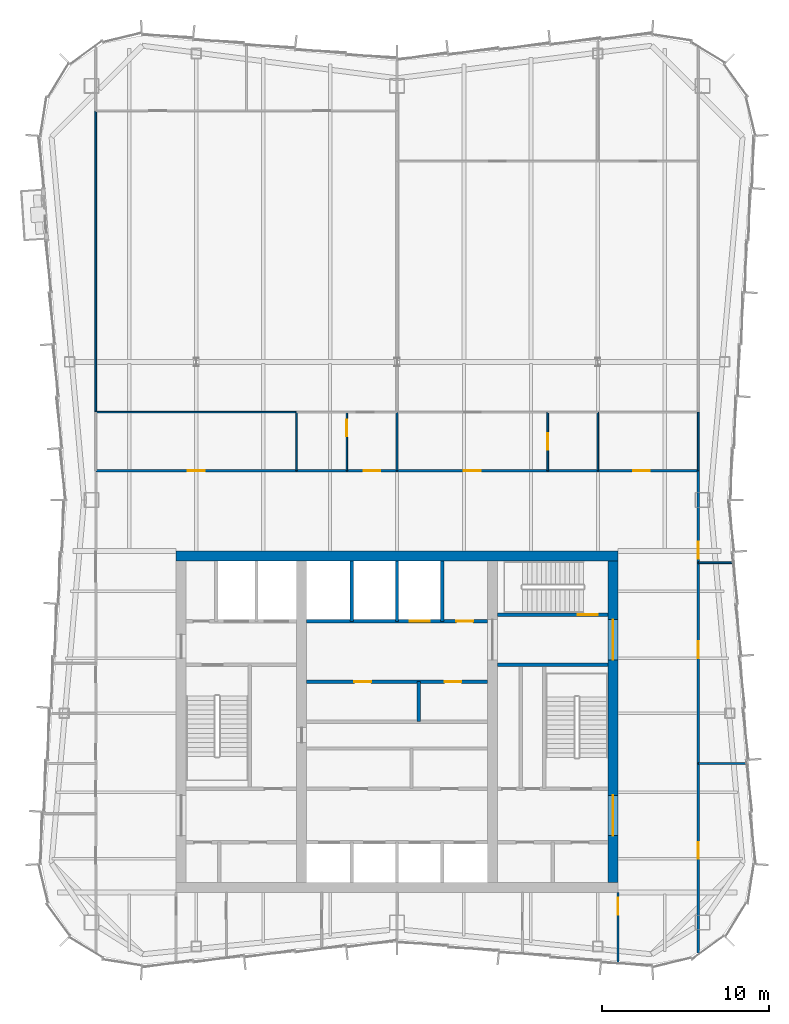
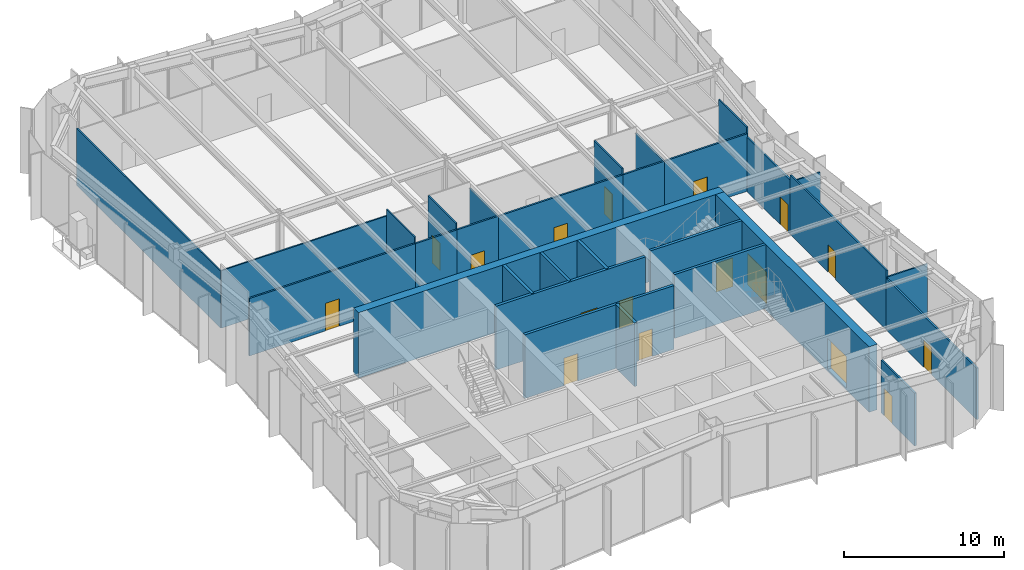
# One storey, part 11 of 14: 30 walls, 17 doors, 17 openings.
"""IFC4 building model written with IfcOpenShell, lengths in metres."""

from ifc_helpers import new_model, si_unit, direction, frame, frame_2d, origin, place, context, subcontext, project, spatial, rectangle, extrude, material, layer, layer_set, type_object, element, fill, save


model = new_model("IFC4")

# Units and contexts
model_context = context("Model", 3, precision=1e-05, world=origin(), true_north=direction((0.0, 1.0)))
body_context = subcontext(model_context, "Body", "Model", "MODEL_VIEW")
ifc_project = project(units=[si_unit("LENGTHUNIT", "METRE"), si_unit("AREAUNIT", "SQUARE_METRE"), si_unit("VOLUMEUNIT", "CUBIC_METRE"), si_unit("PLANEANGLEUNIT", "RADIAN"), si_unit("MASSUNIT", "GRAM", prefix="KILO")], contexts=[model_context])

# Site, building, storey
site_placement = place(None, origin())
site = spatial("IfcSite", under=ifc_project, at=site_placement, CompositionType="ELEMENT")
building_placement = place(site_placement, origin())
building = spatial("IfcBuilding", under=site, at=building_placement, Name="Verdant Reach Tower", CompositionType="ELEMENT")
storey_placement = place(building_placement, frame((0.0, 0.0, 289.0)))
storey = spatial("IfcBuildingStorey", under=building, at=storey_placement, Name="L66", CompositionType="ELEMENT", Elevation=289.0)

# Wall, openings, doors
ifc_material_1 = material(Name="Gypsum board on steel studs", Category="steel")
ifc_layer_1 = layer(ifc_material_1, 0.199951171875)
ifc_layer_set_1 = layer_set([ifc_layer_1], Name="CO-WALL-ROOM")
wall_type_1 = type_object("IfcWallType", Name="CO-WALL-ROOM", PredefinedType="PARTITIONING", material=ifc_layer_set_1)
wall_1_placement = place(storey_placement, frame((-5.39990234375, 30.39990234375, 0.0), z_axis=(0.0, 0.0, 1.0), x_axis=(1.0, 0.0, 0.0)))
wall_1 = element("IfcWall", 1, at=wall_1_placement, inside=storey, type_object=wall_type_1, Name="Core partition, L66", PredefinedType="PARTITIONING", context=body_context, shape_type="SweptSolid", body=[
    extrude(rectangle(XDim=10.7998046875, YDim=0.199951171875, at=frame_2d((5.39990234375, 0.0))), origin(), (0.0, 0.0, 1.0), 4.8701171875),
])
opening_1_placement = place(wall_1_placement, frame((2.847900390625, 0.0, 0.0)))
opening_1 = element("IfcOpeningElement", 2, at=opening_1_placement, cuts=wall_1, Name="Opening CD", PredefinedType="OPENING", context=body_context, shape_type="SweptSolid", body=[
    extrude(rectangle(XDim=1.0, YDim=2.10009765625, at=frame_2d((0.5, 1.050048828125))), frame((0.0, 0.10986328125, 0.0), z_axis=(0.0, -1.0, 0.0), x_axis=(1.0, 0.0, 0.0)), (0.0, 0.0, 1.0), 0.219970703125),
])
opening_2_placement = place(wall_1_placement, frame((8.248046875, 0.0, 0.0)))
opening_2 = element("IfcOpeningElement", 3, at=opening_2_placement, cuts=wall_1, Name="Opening CD", PredefinedType="OPENING", context=body_context, shape_type="SweptSolid", body=[
    extrude(rectangle(XDim=1.0, YDim=2.10009765625, at=frame_2d((0.5, 1.050048828125))), frame((0.0, 0.10986328125, 0.0), z_axis=(0.0, -1.0, 0.0), x_axis=(1.0, 0.0, 0.0)), (0.0, 0.0, 1.0), 0.219970703125),
])
ifc_material_2 = material(Name="Timber", Category="wood")
door_type_1 = type_object("IfcDoorType", Name="CO-DOOR-ROOM", OperationType="NOTDEFINED", PredefinedType="DOOR", material=ifc_material_2)
door_1_placement = place(opening_1_placement, origin())
door_1 = element("IfcDoor", 4, at=door_1_placement, inside=storey, type_object=door_type_1, Name="Core room door, L66", OperationType="SINGLE_SWING_LEFT", OverallHeight=2.10009765625, OverallWidth=1.0, PredefinedType="DOOR", context=body_context, shape_type="SweptSolid", body=[
    extrude(rectangle(XDim=1.0, YDim=2.10009765625, at=frame_2d((0.5, 1.050048828125))), frame((0.0, 0.02490234375, 0.0), z_axis=(0.0, -1.0, 0.0), x_axis=(1.0, 0.0, 0.0)), (0.0, 0.0, 1.0), 0.050048828125),
])
fill(opening_1, door_1)
door_2_placement = place(opening_2_placement, origin())
door_2 = element("IfcDoor", 5, at=door_2_placement, inside=storey, type_object=door_type_1, Name="Core room door, L66", OperationType="SINGLE_SWING_RIGHT", OverallHeight=2.10009765625, OverallWidth=1.0, PredefinedType="DOOR", context=body_context, shape_type="SweptSolid", body=[
    extrude(rectangle(XDim=1.0, YDim=2.10009765625, at=frame_2d((0.5, 1.050048828125))), frame((0.0, 0.02490234375, 0.0), z_axis=(0.0, -1.0, 0.0), x_axis=(1.0, 0.0, 0.0)), (0.0, 0.0, 1.0), 0.050048828125),
])
fill(opening_2, door_2)

# Wall
wall_2_placement = place(storey_placement, frame((1.2958984375, 28.0, 0.0), z_axis=(0.0, 0.0, 1.0), x_axis=(0.0, 1.0, 0.0)))
element("IfcWall", 6, at=wall_2_placement, inside=storey, type_object=wall_type_1, Name="Core partition, L66", PredefinedType="PARTITIONING", context=body_context, shape_type="SweptSolid", body=[
    extrude(rectangle(XDim=2.39990234375, YDim=0.199951171875, at=frame_2d((1.199951171875, 0.0))), origin(), (0.0, 0.0, 1.0), 4.8701171875),
])

# Wall, openings, doors
ifc_material_3 = material(Name="Concrete C40/50", Category="concrete")
ifc_layer_2 = layer(ifc_material_3, 0.199951171875)
ifc_layer_set_2 = layer_set([ifc_layer_2], Name="CO-WALL-SHAFT")
wall_type_2 = type_object("IfcWallType", Name="CO-WALL-SHAFT", PredefinedType="PARTITIONING", material=ifc_layer_set_2)
wall_3_placement = place(storey_placement, frame((-5.39990234375, 34.0, 0.0), z_axis=(0.0, 0.0, 1.0), x_axis=(1.0, 0.0, 0.0)))
wall_3 = element("IfcWall", 7, at=wall_3_placement, inside=storey, type_object=wall_type_2, Name="Lift shaft wall, L66", PredefinedType="PARTITIONING", context=body_context, shape_type="SweptSolid", body=[
    extrude(rectangle(XDim=10.7998046875, YDim=0.199951171875, at=frame_2d((5.39990234375, 0.0))), origin(), (0.0, 0.0, 1.0), 4.8701171875),
])
opening_3_placement = place(wall_3_placement, frame((6.14990234375, 0.0, 0.0)))
opening_3 = element("IfcOpeningElement", 8, at=opening_3_placement, cuts=wall_3, Name="Opening LD-SL1", PredefinedType="OPENING", context=body_context, shape_type="SweptSolid", body=[
    extrude(rectangle(XDim=1.199951171875, YDim=2.199951171875, at=frame_2d((0.60009765625, 1.10009765625))), frame((0.0, 0.10986328125, 0.0), z_axis=(0.0, -1.0, 0.0), x_axis=(1.0, 0.0, 0.0)), (0.0, 0.0, 1.0), 0.219970703125),
])
opening_4_placement = place(wall_3_placement, frame((8.949951171875, 0.0, 0.0)))
opening_4 = element("IfcOpeningElement", 9, at=opening_4_placement, cuts=wall_3, Name="Opening CD", PredefinedType="OPENING", context=body_context, shape_type="SweptSolid", body=[
    extrude(rectangle(XDim=1.0, YDim=2.10009765625, at=frame_2d((0.5, 1.050048828125))), frame((0.0, 0.10986328125, 0.0), z_axis=(0.0, -1.0, 0.0), x_axis=(1.0, 0.0, 0.0)), (0.0, 0.0, 1.0), 0.219970703125),
])
ifc_material_4 = material(Name="Stainless steel", Category="steel")
door_type_2 = type_object("IfcDoorType", Name="CO-DOOR-LANDING", OperationType="SLIDING_TO_LEFT", PredefinedType="DOOR", material=ifc_material_4)
door_3_placement = place(opening_3_placement, origin())
door_3 = element("IfcDoor", 10, at=door_3_placement, inside=storey, type_object=door_type_2, Name="Landing door SL1, L66", OperationType="SLIDING_TO_LEFT", OverallHeight=2.199951171875, OverallWidth=1.199951171875, PredefinedType="DOOR", context=body_context, shape_type="SweptSolid", body=[
    extrude(rectangle(XDim=1.199951171875, YDim=2.199951171875, at=frame_2d((0.60009765625, 1.10009765625))), frame((0.0, 0.02490234375, 0.0), z_axis=(0.0, -1.0, 0.0), x_axis=(1.0, 0.0, 0.0)), (0.0, 0.0, 1.0), 0.050048828125),
])
fill(opening_3, door_3)
door_4_placement = place(opening_4_placement, origin())
door_4 = element("IfcDoor", 11, at=door_4_placement, inside=storey, type_object=door_type_1, Name="Core room door, L66", OperationType="SINGLE_SWING_LEFT", OverallHeight=2.10009765625, OverallWidth=1.0, PredefinedType="DOOR", context=body_context, shape_type="SweptSolid", body=[
    extrude(rectangle(XDim=1.0, YDim=2.10009765625, at=frame_2d((0.5, 1.050048828125))), frame((0.0, 0.02490234375, 0.0), z_axis=(0.0, -1.0, 0.0), x_axis=(1.0, 0.0, 0.0)), (0.0, 0.0, 1.0), 0.050048828125),
])
fill(opening_4, door_4)

# Walls
for number, where, z_axis, x_axis, name in (
    (12, (-2.699951171875, 34.0, 0.0), (0.0, 0.0, 1.0), (0.0, 1.0, 0.0), "Lift shaft wall, L66"),
    (13, (0.0, 34.0, 0.0), (0.0, 0.0, 1.0), (0.0, 1.0, 0.0), "Lift shaft wall, L66"),
    (14, (2.699951171875, 34.0, 0.0), (0.0, 0.0, 1.0), (0.0, 1.0, 0.0), "Lift shaft wall, L66"),
):
    element("IfcWall", number, at=place(storey_placement, frame(where, z_axis=z_axis, x_axis=x_axis)), inside=storey, type_object=wall_type_2, Name=name, PredefinedType="PARTITIONING", context=body_context, shape_type="SweptSolid", body=[
        extrude(rectangle(XDim=3.60009765625, YDim=0.199951171875, at=frame_2d((1.800048828125, 0.0))), origin(), (0.0, 0.0, 1.0), 4.8701171875),
    ])
ifc_layer_3 = layer(ifc_material_3, 0.199951171875)
ifc_layer_set_3 = layer_set([ifc_layer_3], Name="CO-WALL-STAIR")
wall_type_3 = type_object("IfcWallType", Name="CO-WALL-STAIR", PredefinedType="PARTITIONING", material=ifc_layer_set_3)
wall_4_placement = place(storey_placement, frame((6.0, 31.39990234375, 0.0), z_axis=(0.0, 0.0, 1.0), x_axis=(1.0, 0.0, 0.0)))
element("IfcWall", 15, at=wall_4_placement, inside=storey, type_object=wall_type_3, Name="Stair enclosure wall, L66", PredefinedType="PARTITIONING", context=body_context, shape_type="SweptSolid", body=[
    extrude(rectangle(XDim=6.60009765625, YDim=0.199951171875, at=frame_2d((3.300048828125, 0.0))), origin(), (0.0, 0.0, 1.0), 4.8701171875),
])

# Wall, opening, door
wall_5_placement = place(storey_placement, frame((6.0, 34.39990234375, 0.0), z_axis=(0.0, 0.0, 1.0), x_axis=(1.0, 0.0, 0.0)))
wall_5 = element("IfcWall", 16, at=wall_5_placement, inside=storey, type_object=wall_type_3, Name="Stair enclosure wall, L66", PredefinedType="PARTITIONING", context=body_context, shape_type="SweptSolid", body=[
    extrude(rectangle(XDim=6.60009765625, YDim=0.199951171875, at=frame_2d((3.300048828125, 0.0))), origin(), (0.0, 0.0, 1.0), 4.8701171875),
])
opening_5_placement = place(wall_5_placement, frame((4.800048828125, 0.0, 0.0)))
opening_5 = element("IfcOpeningElement", 17, at=opening_5_placement, cuts=wall_5, Name="Opening SD", PredefinedType="OPENING", context=body_context, shape_type="SweptSolid", body=[
    extrude(rectangle(XDim=1.199951171875, YDim=2.199951171875, at=frame_2d((0.60009765625, 1.10009765625))), frame((0.0, 0.10986328125, 0.0), z_axis=(0.0, -1.0, 0.0), x_axis=(1.0, 0.0, 0.0)), (0.0, 0.0, 1.0), 0.219970703125),
])
ifc_material_5 = material(Name="Steel", Category="steel")
door_type_3 = type_object("IfcDoorType", Name="CO-DOOR-STAIR", OperationType="NOTDEFINED", PredefinedType="DOOR", material=ifc_material_5)
door_5_placement = place(opening_5_placement, origin())
door_5 = element("IfcDoor", 18, at=door_5_placement, inside=storey, type_object=door_type_3, Name="Stair door, L66", OperationType="SINGLE_SWING_LEFT", OverallHeight=2.199951171875, OverallWidth=1.199951171875, PredefinedType="DOOR", context=body_context, shape_type="SweptSolid", body=[
    extrude(rectangle(XDim=1.199951171875, YDim=2.199951171875, at=frame_2d((0.60009765625, 1.10009765625))), frame((0.0, 0.02490234375, 0.0), z_axis=(0.0, -1.0, 0.0), x_axis=(1.0, 0.0, 0.0)), (0.0, 0.0, 1.0), 0.050048828125),
])
fill(opening_5, door_5)

# Walls
ifc_layer_4 = layer(ifc_material_1, 0.10009765625)
ifc_layer_set_4 = layer_set([ifc_layer_4], Name="FL-W1 Partition 100")
wall_type_4 = type_object("IfcWallType", Name="FL-W1 Partition 100", PredefinedType="PARTITIONING", material=ifc_layer_set_4)
wall_6_placement = place(storey_placement, frame((-18.0, 46.5, 0.0), z_axis=(0.0, 0.0, 1.0), x_axis=(0.0, 1.0, 0.0)))
element("IfcWall", 19, at=wall_6_placement, inside=storey, type_object=wall_type_4, Name="Partition 66.22", PredefinedType="PARTITIONING", context=body_context, shape_type="SweptSolid", body=[
    extrude(rectangle(XDim=18.0, YDim=0.10009765625, at=frame_2d((9.0, 0.0))), origin(), (0.0, 0.0, 1.0), 4.35009765625),
])
wall_7_placement = place(storey_placement, frame((20.916259765625, 25.5, 0.0), z_axis=(0.0, 0.0, 1.0), x_axis=(-1.0, 0.0, 0.0)))
element("IfcWall", 20, at=wall_7_placement, inside=storey, type_object=wall_type_4, Name="Partition 66.24", PredefinedType="PARTITIONING", context=body_context, shape_type="SweptSolid", body=[
    extrude(rectangle(XDim=2.916259765625, YDim=0.10009765625, at=frame_2d((1.4580078125, 0.0))), origin(), (0.0, 0.0, 1.0), 4.0400390625),
])
wall_8_placement = place(storey_placement, frame((20.088623046875, 37.5, 0.0), z_axis=(0.0, 0.0, 1.0), x_axis=(-1.0, 0.0, 0.0)))
element("IfcWall", 21, at=wall_8_placement, inside=storey, type_object=wall_type_4, Name="Partition 66.25", PredefinedType="PARTITIONING", context=body_context, shape_type="SweptSolid", body=[
    extrude(rectangle(XDim=2.088623046875, YDim=0.10009765625, at=frame_2d((1.04443359375, 0.0))), origin(), (0.0, 0.0, 1.0), 4.0400390625),
])
for number, where, z_axis, x_axis, name in (
    (22, (18.0, 46.5, 0.0), (0.0, 0.0, 1.0), (0.0, -1.0, 0.0), "Partition 66.26"),
    (23, (-6.0, 43.0, 0.0), (0.0, 0.0, 1.0), (0.0, 1.0, 0.0), "Partition 66.33"),
):
    element("IfcWall", number, at=place(storey_placement, frame(where, z_axis=z_axis, x_axis=x_axis)), inside=storey, type_object=wall_type_4, Name=name, PredefinedType="PARTITIONING", context=body_context, shape_type="SweptSolid", body=[
        extrude(rectangle(XDim=3.5, YDim=0.10009765625, at=frame_2d((1.75, 0.0))), origin(), (0.0, 0.0, 1.0), 4.8701171875),
    ])
wall_9_placement = place(storey_placement, frame((-5.99609375, 46.5, 0.0), z_axis=(0.0, 0.0, 1.0), x_axis=(-1.0, 0.0, 0.0)))
element("IfcWall", 24, at=wall_9_placement, inside=storey, type_object=wall_type_4, Name="Partition 66.34", PredefinedType="PARTITIONING", context=body_context, shape_type="SweptSolid", body=[
    extrude(rectangle(XDim=12.00390625, YDim=0.10009765625, at=frame_2d((6.001953125, 0.0))), origin(), (0.0, 0.0, 1.0), 4.389892578125),
])

# Wall, opening, door
wall_10_placement = place(storey_placement, frame((-3.0, 43.0, 0.0), z_axis=(0.0, 0.0, 1.0), x_axis=(0.0, 1.0, 0.0)))
wall_10 = element("IfcWall", 25, at=wall_10_placement, inside=storey, type_object=wall_type_4, Name="Partition 66.35", PredefinedType="PARTITIONING", context=body_context, shape_type="SweptSolid", body=[
    extrude(rectangle(XDim=3.5, YDim=0.10009765625, at=frame_2d((1.75, 0.0))), origin(), (0.0, 0.0, 1.0), 4.8701171875),
])
opening_6_placement = place(wall_10_placement, frame((2.050048828125, 0.0, 0.0)))
opening_6 = element("IfcOpeningElement", 26, at=opening_6_placement, cuts=wall_10, Name="Opening D3", PredefinedType="OPENING", context=body_context, shape_type="SweptSolid", body=[
    extrude(rectangle(XDim=1.0, YDim=2.10009765625, at=frame_2d((0.5, 1.050048828125))), frame((0.0, 0.06005859375, 0.0), z_axis=(0.0, -1.0, 0.0), x_axis=(1.0, 0.0, 0.0)), (0.0, 0.0, 1.0), 0.1201171875),
])
ifc_material_6 = material(Name="Painted timber door leaf", Category="wood")
door_type_4 = type_object("IfcDoorType", Name="FL-D3 Door 1000x2100", OperationType="NOTDEFINED", PredefinedType="DOOR", material=ifc_material_6)
door_6_placement = place(opening_6_placement, origin())
door_6 = element("IfcDoor", 27, at=door_6_placement, inside=storey, type_object=door_type_4, Name="Door 66-018", OperationType="SINGLE_SWING_RIGHT", OverallHeight=2.10009765625, OverallWidth=1.0, PredefinedType="DOOR", context=body_context, shape_type="SweptSolid", body=[
    extrude(rectangle(XDim=1.0, YDim=2.10009765625, at=frame_2d((0.5, 1.050048828125))), frame((0.0, 0.02490234375, 0.0), z_axis=(0.0, -1.0, 0.0), x_axis=(1.0, 0.0, 0.0)), (0.0, 0.0, 1.0), 0.050048828125),
])
fill(opening_6, door_6)

# Wall
wall_11_placement = place(storey_placement, frame((0.0, 43.0, 0.0), z_axis=(0.0, 0.0, 1.0), x_axis=(0.0, 1.0, 0.0)))
element("IfcWall", 28, at=wall_11_placement, inside=storey, type_object=wall_type_4, Name="Partition 66.38", PredefinedType="PARTITIONING", context=body_context, shape_type="SweptSolid", body=[
    extrude(rectangle(XDim=3.5, YDim=0.10009765625, at=frame_2d((1.75, 0.0))), origin(), (0.0, 0.0, 1.0), 4.389892578125),
])

# Wall, opening, door
wall_12_placement = place(storey_placement, frame((9.0, 46.5, 0.0), z_axis=(0.0, 0.0, 1.0), x_axis=(0.0, -1.0, 0.0)))
wall_12 = element("IfcWall", 29, at=wall_12_placement, inside=storey, type_object=wall_type_4, Name="Partition 66.45", PredefinedType="PARTITIONING", context=body_context, shape_type="SweptSolid", body=[
    extrude(rectangle(XDim=3.5, YDim=0.10009765625, at=frame_2d((1.75, 0.0))), origin(), (0.0, 0.0, 1.0), 4.8701171875),
])
opening_7_placement = place(wall_12_placement, frame((1.25, 0.0, 0.0)))
opening_7 = element("IfcOpeningElement", 30, at=opening_7_placement, cuts=wall_12, Name="Opening D3", PredefinedType="OPENING", context=body_context, shape_type="SweptSolid", body=[
    extrude(rectangle(XDim=1.0, YDim=2.10009765625, at=frame_2d((0.5, 1.050048828125))), frame((0.0, 0.06005859375, 0.0), z_axis=(0.0, -1.0, 0.0), x_axis=(1.0, 0.0, 0.0)), (0.0, 0.0, 1.0), 0.1201171875),
])
door_7_placement = place(opening_7_placement, origin())
door_7 = element("IfcDoor", 31, at=door_7_placement, inside=storey, type_object=door_type_4, Name="Door 66-022", OperationType="SINGLE_SWING_RIGHT", OverallHeight=2.10009765625, OverallWidth=1.0, PredefinedType="DOOR", context=body_context, shape_type="SweptSolid", body=[
    extrude(rectangle(XDim=1.0, YDim=2.10009765625, at=frame_2d((0.5, 1.050048828125))), frame((0.0, 0.02490234375, 0.0), z_axis=(0.0, -1.0, 0.0), x_axis=(1.0, 0.0, 0.0)), (0.0, 0.0, 1.0), 0.050048828125),
])
fill(opening_7, door_7)

# Wall
wall_13_placement = place(storey_placement, frame((12.0, 43.0, 0.0), z_axis=(0.0, 0.0, 1.0), x_axis=(0.0, 1.0, 0.0)))
element("IfcWall", 32, at=wall_13_placement, inside=storey, type_object=wall_type_4, Name="Partition 66.47", PredefinedType="PARTITIONING", context=body_context, shape_type="SweptSolid", body=[
    extrude(rectangle(XDim=3.5, YDim=0.10009765625, at=frame_2d((1.75, 0.0))), origin(), (0.0, 0.0, 1.0), 4.389892578125),
])

# Wall, opening, door
ifc_material_7 = material(Name="Gypsum board on steel studs, fire rated", Category="steel")
ifc_layer_5 = layer(ifc_material_7, 0.125)
ifc_layer_set_5 = layer_set([ifc_layer_5], Name="FL-W2 Corridor wall 125")
wall_type_5 = type_object("IfcWallType", Name="FL-W2 Corridor wall 125", PredefinedType="PARTITIONING", material=ifc_layer_set_5)
wall_14_placement = place(storey_placement, frame((18.0, 25.5, 0.0), z_axis=(0.0, 0.0, 1.0), x_axis=(0.0, -1.0, 0.0)))
wall_14 = element("IfcWall", 33, at=wall_14_placement, inside=storey, type_object=wall_type_5, Name="Partition 66.06", PredefinedType="PARTITIONING", context=body_context, shape_type="SweptSolid", body=[
    extrude(rectangle(XDim=11.320068359375, YDim=0.125, at=frame_2d((5.66015625, 0.0))), origin(), (0.0, 0.0, 1.0), 3.929931640625),
])
opening_8_placement = place(wall_14_placement, frame((4.68994140625, 0.0, 0.0)))
opening_8 = element("IfcOpeningElement", 34, at=opening_8_placement, cuts=wall_14, Name="Opening D2", PredefinedType="OPENING", context=body_context, shape_type="SweptSolid", body=[
    extrude(rectangle(XDim=1.0, YDim=2.10009765625, at=frame_2d((0.5, 1.050048828125))), frame((0.0, 0.072509765625, 0.0), z_axis=(0.0, -1.0, 0.0), x_axis=(1.0, 0.0, 0.0)), (0.0, 0.0, 1.0), 0.14501953125),
])
ifc_material_8 = material(Name="Timber door leaf, fire rated", Category="wood")
door_type_5 = type_object("IfcDoorType", Name="FL-D2 Entrance door 1000x2100 FD30", OperationType="NOTDEFINED", PredefinedType="DOOR", material=ifc_material_8)
door_8_placement = place(opening_8_placement, origin())
door_8 = element("IfcDoor", 35, at=door_8_placement, inside=storey, type_object=door_type_5, Name="Door 66-006", OperationType="SINGLE_SWING_LEFT", OverallHeight=2.10009765625, OverallWidth=1.0, PredefinedType="DOOR", context=body_context, shape_type="SweptSolid", body=[
    extrude(rectangle(XDim=1.0, YDim=2.10009765625, at=frame_2d((0.5, 1.050048828125))), frame((0.0, 0.02490234375, 0.0), z_axis=(0.0, -1.0, 0.0), x_axis=(1.0, 0.0, 0.0)), (0.0, 0.0, 1.0), 0.050048828125),
])
fill(opening_8, door_8)

wall_15_placement = place(storey_placement, frame((18.0, 37.5, 0.0), z_axis=(0.0, 0.0, 1.0), x_axis=(0.0, -1.0, 0.0)))
wall_15 = element("IfcWall", 36, at=wall_15_placement, inside=storey, type_object=wall_type_5, Name="Partition 66.07", PredefinedType="PARTITIONING", context=body_context, shape_type="SweptSolid", body=[
    extrude(rectangle(XDim=12.0, YDim=0.125, at=frame_2d((6.0, 0.0))), origin(), (0.0, 0.0, 1.0), 4.5400390625),
])
opening_9_placement = place(wall_15_placement, frame((4.699951171875, 0.0, 0.0)))
opening_9 = element("IfcOpeningElement", 37, at=opening_9_placement, cuts=wall_15, Name="Opening D2", PredefinedType="OPENING", context=body_context, shape_type="SweptSolid", body=[
    extrude(rectangle(XDim=1.0, YDim=2.10009765625, at=frame_2d((0.5, 1.050048828125))), frame((0.0, 0.072509765625, 0.0), z_axis=(0.0, -1.0, 0.0), x_axis=(1.0, 0.0, 0.0)), (0.0, 0.0, 1.0), 0.14501953125),
])
door_9_placement = place(opening_9_placement, origin())
door_9 = element("IfcDoor", 38, at=door_9_placement, inside=storey, type_object=door_type_5, Name="Door 66-007", OperationType="SINGLE_SWING_LEFT", OverallHeight=2.10009765625, OverallWidth=1.0, PredefinedType="DOOR", context=body_context, shape_type="SweptSolid", body=[
    extrude(rectangle(XDim=1.0, YDim=2.10009765625, at=frame_2d((0.5, 1.050048828125))), frame((0.0, 0.02490234375, 0.0), z_axis=(0.0, -1.0, 0.0), x_axis=(1.0, 0.0, 0.0)), (0.0, 0.0, 1.0), 0.050048828125),
])
fill(opening_9, door_9)

wall_16_placement = place(storey_placement, frame((18.0, 43.00390625, 0.0), z_axis=(0.0, 0.0, 1.0), x_axis=(0.0, -1.0, 0.0)))
wall_16 = element("IfcWall", 39, at=wall_16_placement, inside=storey, type_object=wall_type_5, Name="Partition 66.08", PredefinedType="PARTITIONING", context=body_context, shape_type="SweptSolid", body=[
    extrude(rectangle(XDim=5.50390625, YDim=0.125, at=frame_2d((2.751953125, 0.0))), origin(), (0.0, 0.0, 1.0), 4.139892578125),
])
opening_10_placement = place(wall_16_placement, frame((4.251953125, 0.0, 0.0)))
opening_10 = element("IfcOpeningElement", 40, at=opening_10_placement, cuts=wall_16, Name="Opening D2", PredefinedType="OPENING", context=body_context, shape_type="SweptSolid", body=[
    extrude(rectangle(XDim=1.0, YDim=2.10009765625, at=frame_2d((0.5, 1.050048828125))), frame((0.0, 0.072509765625, 0.0), z_axis=(0.0, -1.0, 0.0), x_axis=(1.0, 0.0, 0.0)), (0.0, 0.0, 1.0), 0.14501953125),
])
door_10_placement = place(opening_10_placement, origin())
door_10 = element("IfcDoor", 41, at=door_10_placement, inside=storey, type_object=door_type_5, Name="Door 66-008", OperationType="SINGLE_SWING_RIGHT", OverallHeight=2.10009765625, OverallWidth=1.0, PredefinedType="DOOR", context=body_context, shape_type="SweptSolid", body=[
    extrude(rectangle(XDim=1.0, YDim=2.10009765625, at=frame_2d((0.5, 1.050048828125))), frame((0.0, 0.02490234375, 0.0), z_axis=(0.0, -1.0, 0.0), x_axis=(1.0, 0.0, 0.0)), (0.0, 0.0, 1.0), 0.050048828125),
])
fill(opening_10, door_10)

wall_17_placement = place(storey_placement, frame((13.199951171875, 13.62158203125, 0.0), z_axis=(0.0, 0.0, 1.0), x_axis=(0.0, 1.0, 0.0)))
wall_17 = element("IfcWall", 42, at=wall_17_placement, inside=storey, type_object=wall_type_5, Name="Partition 66.10", PredefinedType="PARTITIONING", context=body_context, shape_type="SweptSolid", body=[
    extrude(rectangle(XDim=4.178466796875, YDim=0.125, at=frame_2d((2.08935546875, 0.0))), origin(), (0.0, 0.0, 1.0), 4.0400390625),
])
opening_11_placement = place(wall_17_placement, frame((2.854248046875, 0.0, 0.0)))
opening_11 = element("IfcOpeningElement", 43, at=opening_11_placement, cuts=wall_17, Name="Opening D2", PredefinedType="OPENING", context=body_context, shape_type="SweptSolid", body=[
    extrude(rectangle(XDim=1.0, YDim=2.10009765625, at=frame_2d((0.5, 1.050048828125))), frame((0.0, 0.072509765625, 0.0), z_axis=(0.0, -1.0, 0.0), x_axis=(1.0, 0.0, 0.0)), (0.0, 0.0, 1.0), 0.14501953125),
])
door_11_placement = place(opening_11_placement, origin())
door_11 = element("IfcDoor", 44, at=door_11_placement, inside=storey, type_object=door_type_5, Name="Door 66-010", OperationType="SINGLE_SWING_RIGHT", OverallHeight=2.10009765625, OverallWidth=1.0, PredefinedType="DOOR", context=body_context, shape_type="SweptSolid", body=[
    extrude(rectangle(XDim=1.0, YDim=2.10009765625, at=frame_2d((0.5, 1.050048828125))), frame((0.0, 0.02490234375, 0.0), z_axis=(0.0, -1.0, 0.0), x_axis=(1.0, 0.0, 0.0)), (0.0, 0.0, 1.0), 0.050048828125),
])
fill(opening_11, door_11)

wall_18_placement = place(storey_placement, frame((-18.0, 43.0, 0.0), z_axis=(0.0, 0.0, 1.0), x_axis=(1.0, 0.0, 0.0)))
wall_18 = element("IfcWall", 45, at=wall_18_placement, inside=storey, type_object=wall_type_5, Name="Partition 66.11", PredefinedType="PARTITIONING", context=body_context, shape_type="SweptSolid", body=[
    extrude(rectangle(XDim=12.0, YDim=0.125, at=frame_2d((6.0, 0.0))), origin(), (0.0, 0.0, 1.0), 4.389892578125),
])
opening_12_placement = place(wall_18_placement, frame((5.5, 0.0, 0.0)))
opening_12 = element("IfcOpeningElement", 46, at=opening_12_placement, cuts=wall_18, Name="Opening D2", PredefinedType="OPENING", context=body_context, shape_type="SweptSolid", body=[
    extrude(rectangle(XDim=1.0, YDim=2.10009765625, at=frame_2d((0.5, 1.050048828125))), frame((0.0, 0.072509765625, 0.0), z_axis=(0.0, -1.0, 0.0), x_axis=(1.0, 0.0, 0.0)), (0.0, 0.0, 1.0), 0.14501953125),
])
door_12_placement = place(opening_12_placement, origin())
door_12 = element("IfcDoor", 47, at=door_12_placement, inside=storey, type_object=door_type_5, Name="Door 66-011", OperationType="SINGLE_SWING_LEFT", OverallHeight=2.10009765625, OverallWidth=1.0, PredefinedType="DOOR", context=body_context, shape_type="SweptSolid", body=[
    extrude(rectangle(XDim=1.0, YDim=2.10009765625, at=frame_2d((0.5, 1.050048828125))), frame((0.0, 0.02490234375, 0.0), z_axis=(0.0, -1.0, 0.0), x_axis=(1.0, 0.0, 0.0)), (0.0, 0.0, 1.0), 0.050048828125),
])
fill(opening_12, door_12)

# Wall
wall_19_placement = place(storey_placement, frame((-3.0, 43.0, 0.0), z_axis=(0.0, 0.0, 1.0), x_axis=(-1.0, 0.0, 0.0)))
element("IfcWall", 48, at=wall_19_placement, inside=storey, type_object=wall_type_5, Name="Partition 66.12", PredefinedType="PARTITIONING", context=body_context, shape_type="SweptSolid", body=[
    extrude(rectangle(XDim=3.0, YDim=0.125, at=frame_2d((1.5, 0.0))), origin(), (0.0, 0.0, 1.0), 4.389892578125),
])

# Wall, opening, door
wall_20_placement = place(storey_placement, frame((-3.0, 43.0, 0.0), z_axis=(0.0, 0.0, 1.0), x_axis=(1.0, 0.0, 0.0)))
wall_20 = element("IfcWall", 49, at=wall_20_placement, inside=storey, type_object=wall_type_5, Name="Partition 66.13", PredefinedType="PARTITIONING", context=body_context, shape_type="SweptSolid", body=[
    extrude(rectangle(XDim=3.0, YDim=0.125, at=frame_2d((1.5, 0.0))), origin(), (0.0, 0.0, 1.0), 4.389892578125),
])
opening_13_placement = place(wall_20_placement, frame((1.0, 0.0, 0.0)))
opening_13 = element("IfcOpeningElement", 50, at=opening_13_placement, cuts=wall_20, Name="Opening D2", PredefinedType="OPENING", context=body_context, shape_type="SweptSolid", body=[
    extrude(rectangle(XDim=1.0, YDim=2.10009765625, at=frame_2d((0.5, 1.050048828125))), frame((0.0, 0.072509765625, 0.0), z_axis=(0.0, -1.0, 0.0), x_axis=(1.0, 0.0, 0.0)), (0.0, 0.0, 1.0), 0.14501953125),
])
door_13_placement = place(opening_13_placement, origin())
door_13 = element("IfcDoor", 51, at=door_13_placement, inside=storey, type_object=door_type_5, Name="Door 66-012", OperationType="SINGLE_SWING_RIGHT", OverallHeight=2.10009765625, OverallWidth=1.0, PredefinedType="DOOR", context=body_context, shape_type="SweptSolid", body=[
    extrude(rectangle(XDim=1.0, YDim=2.10009765625, at=frame_2d((0.5, 1.050048828125))), frame((0.0, 0.02490234375, 0.0), z_axis=(0.0, -1.0, 0.0), x_axis=(1.0, 0.0, 0.0)), (0.0, 0.0, 1.0), 0.050048828125),
])
fill(opening_13, door_13)

wall_21_placement = place(storey_placement, frame((0.0, 43.0, 0.0), z_axis=(0.0, 0.0, 1.0), x_axis=(1.0, 0.0, 0.0)))
wall_21 = element("IfcWall", 52, at=wall_21_placement, inside=storey, type_object=wall_type_5, Name="Partition 66.14", PredefinedType="PARTITIONING", context=body_context, shape_type="SweptSolid", body=[
    extrude(rectangle(XDim=9.0, YDim=0.125, at=frame_2d((4.5, 0.0))), origin(), (0.0, 0.0, 1.0), 4.389892578125),
])
opening_14_placement = place(wall_21_placement, frame((4.0, 0.0, 0.0)))
opening_14 = element("IfcOpeningElement", 53, at=opening_14_placement, cuts=wall_21, Name="Opening D2", PredefinedType="OPENING", context=body_context, shape_type="SweptSolid", body=[
    extrude(rectangle(XDim=1.0, YDim=2.10009765625, at=frame_2d((0.5, 1.050048828125))), frame((0.0, 0.072509765625, 0.0), z_axis=(0.0, -1.0, 0.0), x_axis=(1.0, 0.0, 0.0)), (0.0, 0.0, 1.0), 0.14501953125),
])
door_14_placement = place(opening_14_placement, origin())
door_14 = element("IfcDoor", 54, at=door_14_placement, inside=storey, type_object=door_type_5, Name="Door 66-013", OperationType="SINGLE_SWING_LEFT", OverallHeight=2.10009765625, OverallWidth=1.0, PredefinedType="DOOR", context=body_context, shape_type="SweptSolid", body=[
    extrude(rectangle(XDim=1.0, YDim=2.10009765625, at=frame_2d((0.5, 1.050048828125))), frame((0.0, 0.02490234375, 0.0), z_axis=(0.0, -1.0, 0.0), x_axis=(1.0, 0.0, 0.0)), (0.0, 0.0, 1.0), 0.050048828125),
])
fill(opening_14, door_14)

# Wall
wall_22_placement = place(storey_placement, frame((12.0, 43.0, 0.0), z_axis=(0.0, 0.0, 1.0), x_axis=(-1.0, 0.0, 0.0)))
element("IfcWall", 55, at=wall_22_placement, inside=storey, type_object=wall_type_5, Name="Partition 66.15", PredefinedType="PARTITIONING", context=body_context, shape_type="SweptSolid", body=[
    extrude(rectangle(XDim=3.0, YDim=0.125, at=frame_2d((1.5, 0.0))), origin(), (0.0, 0.0, 1.0), 4.389892578125),
])

# Wall, opening, door
wall_23_placement = place(storey_placement, frame((12.0, 43.0, 0.0), z_axis=(0.0, 0.0, 1.0), x_axis=(1.0, 0.0, 0.0)))
wall_23 = element("IfcWall", 56, at=wall_23_placement, inside=storey, type_object=wall_type_5, Name="Partition 66.16", PredefinedType="PARTITIONING", context=body_context, shape_type="SweptSolid", body=[
    extrude(rectangle(XDim=6.0, YDim=0.125, at=frame_2d((3.0, 0.0))), origin(), (0.0, 0.0, 1.0), 4.389892578125),
])
opening_15_placement = place(wall_23_placement, frame((2.10009765625, 0.0, 0.0)))
opening_15 = element("IfcOpeningElement", 57, at=opening_15_placement, cuts=wall_23, Name="Opening D2", PredefinedType="OPENING", context=body_context, shape_type="SweptSolid", body=[
    extrude(rectangle(XDim=1.0, YDim=2.10009765625, at=frame_2d((0.5, 1.050048828125))), frame((0.0, 0.072509765625, 0.0), z_axis=(0.0, -1.0, 0.0), x_axis=(1.0, 0.0, 0.0)), (0.0, 0.0, 1.0), 0.14501953125),
])
door_15_placement = place(opening_15_placement, origin())
door_15 = element("IfcDoor", 58, at=door_15_placement, inside=storey, type_object=door_type_5, Name="Door 66-014", OperationType="SINGLE_SWING_LEFT", OverallHeight=2.10009765625, OverallWidth=1.0, PredefinedType="DOOR", context=body_context, shape_type="SweptSolid", body=[
    extrude(rectangle(XDim=1.0, YDim=2.10009765625, at=frame_2d((0.5, 1.050048828125))), frame((0.0, 0.02490234375, 0.0), z_axis=(0.0, -1.0, 0.0), x_axis=(1.0, 0.0, 0.0)), (0.0, 0.0, 1.0), 0.050048828125),
])
fill(opening_15, door_15)

# Wall
ifc_material_9 = material(Name="Concrete C70/85", Category="concrete")
ifc_layer_6 = layer(ifc_material_9, 0.60009765625)
ifc_layer_set_6 = layer_set([ifc_layer_6], Name="ST-CORE-WALL-600")
wall_type_6 = type_object("IfcWallType", Name="ST-CORE-WALL-600", PredefinedType="SHEAR", material=ifc_layer_set_6)
wall_24_placement = place(storey_placement, frame((-13.199951171875, 37.89990234375, -0.1298828125), z_axis=(0.0, 0.0, 1.0), x_axis=(1.0, 0.0, 0.0)))
element("IfcWall", 59, at=wall_24_placement, inside=storey, type_object=wall_type_6, Name="Core wall N, L66", PredefinedType="SHEAR", context=body_context, shape_type="SweptSolid", body=[
    extrude(rectangle(XDim=26.39990234375, YDim=0.60009765625, at=frame_2d((13.199951171875, 0.0))), origin(), (0.0, 0.0, 1.0), 5.0),
])

# Wall, openings, doors
wall_25_placement = place(storey_placement, frame((12.89990234375, 18.39990234375, -0.1298828125), z_axis=(0.0, 0.0, 1.0), x_axis=(0.0, 1.0, 0.0)))
wall_25 = element("IfcWall", 60, at=wall_25_placement, inside=storey, type_object=wall_type_6, Name="Core wall E, L66", PredefinedType="SHEAR", context=body_context, shape_type="SweptSolid", body=[
    extrude(rectangle(XDim=19.2001953125, YDim=0.60009765625, at=frame_2d((9.60009765625, 0.0))), origin(), (0.0, 0.0, 1.0), 5.0),
])
opening_16_placement = place(wall_25_placement, frame((2.800048828125, 0.0, 0.1298828125)))
opening_16 = element("IfcOpeningElement", 61, at=opening_16_placement, cuts=wall_25, Name="Opening LB", PredefinedType="OPENING", context=body_context, shape_type="SweptSolid", body=[
    extrude(rectangle(XDim=2.39990234375, YDim=2.39990234375, at=frame_2d((1.199951171875, 1.199951171875))), frame((0.0, 0.31005859375, 0.0), z_axis=(0.0, -1.0, 0.0), x_axis=(1.0, 0.0, 0.0)), (0.0, 0.0, 1.0), 0.6201171875),
])
opening_17_placement = place(wall_25_placement, frame((13.300048828125, 0.0, 0.1298828125)))
opening_17 = element("IfcOpeningElement", 62, at=opening_17_placement, cuts=wall_25, Name="Opening LB", PredefinedType="OPENING", context=body_context, shape_type="SweptSolid", body=[
    extrude(rectangle(XDim=2.39990234375, YDim=2.39990234375, at=frame_2d((1.199951171875, 1.199951171875))), frame((0.0, 0.31005859375, 0.0), z_axis=(0.0, -1.0, 0.0), x_axis=(1.0, 0.0, 0.0)), (0.0, 0.0, 1.0), 0.6201171875),
])
ifc_material_10 = material(Name="Glass and steel", Category="steel")
door_type_6 = type_object("IfcDoorType", Name="CO-DOOR-LOBBY", OperationType="DOUBLE_DOOR_SINGLE_SWING", PredefinedType="DOOR", material=ifc_material_10)
door_16_placement = place(opening_16_placement, origin())
door_16 = element("IfcDoor", 63, at=door_16_placement, inside=storey, type_object=door_type_6, Name="Core entrance door, L66", OperationType="DOUBLE_DOOR_SINGLE_SWING", OverallHeight=2.39990234375, OverallWidth=2.39990234375, PredefinedType="DOOR", context=body_context, shape_type="SweptSolid", body=[
    extrude(rectangle(XDim=2.39990234375, YDim=2.39990234375, at=frame_2d((1.199951171875, 1.199951171875))), frame((0.0, 0.02490234375, 0.0), z_axis=(0.0, -1.0, 0.0), x_axis=(1.0, 0.0, 0.0)), (0.0, 0.0, 1.0), 0.050048828125),
])
fill(opening_16, door_16)
door_17_placement = place(opening_17_placement, origin())
door_17 = element("IfcDoor", 64, at=door_17_placement, inside=storey, type_object=door_type_6, Name="Core entrance door, L66", OperationType="DOUBLE_DOOR_SINGLE_SWING", OverallHeight=2.39990234375, OverallWidth=2.39990234375, PredefinedType="DOOR", context=body_context, shape_type="SweptSolid", body=[
    extrude(rectangle(XDim=2.39990234375, YDim=2.39990234375, at=frame_2d((1.199951171875, 1.199951171875))), frame((0.0, 0.02490234375, 0.0), z_axis=(0.0, -1.0, 0.0), x_axis=(1.0, 0.0, 0.0)), (0.0, 0.0, 1.0), 0.050048828125),
])
fill(opening_17, door_17)

save(model, "model.ifc")
